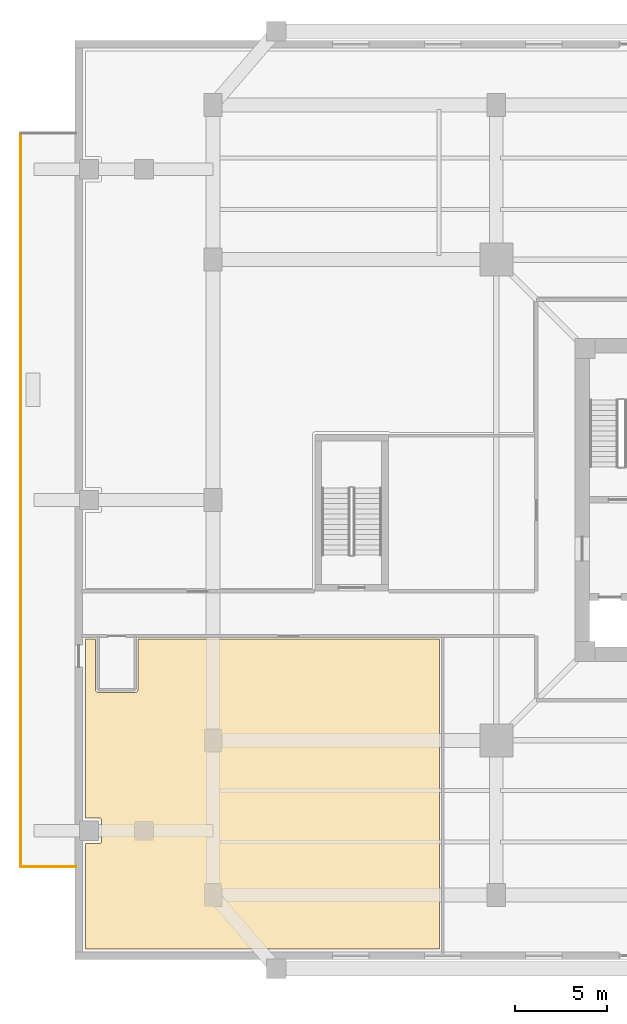
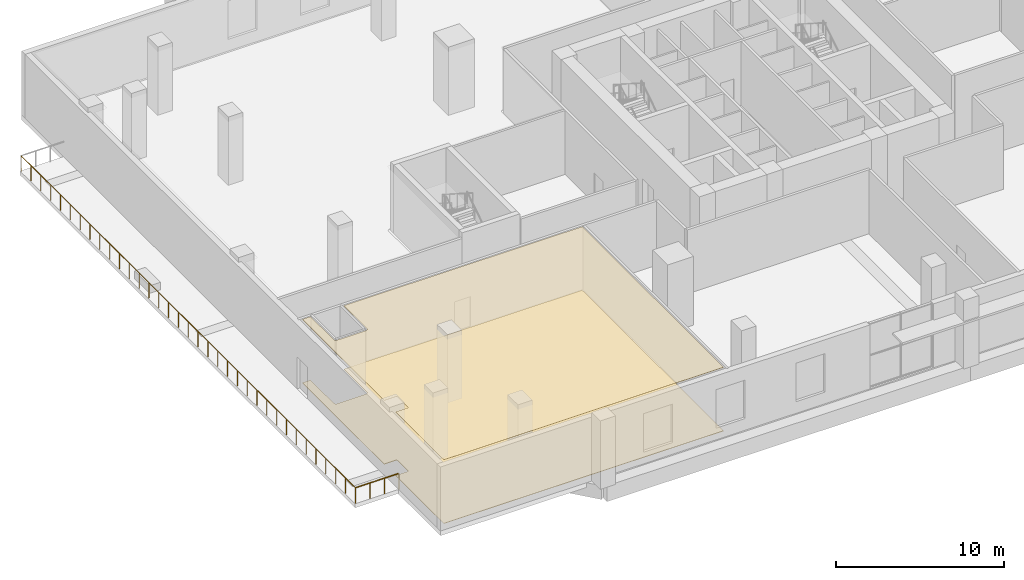
# One storey, part 10 of 15: 2 coverings, 2 railings.
"""IFC4 building model written with IfcOpenShell, lengths in metres."""

from ifc_helpers import new_model, si_unit, direction, frame, origin, origin_2d, place, context, subcontext, project, spatial, polyline, circle, outline, extrude, source, transform, mapped, material, layer, layer_set, type_object, element, save


model = new_model("IFC4")

# Units and contexts
model_context = context("Model", 3, precision=1e-05, world=origin(), true_north=direction((0.0, 1.0)))
body_context = subcontext(model_context, "Body", "Model", "MODEL_VIEW")
ifc_project = project(units=[si_unit("LENGTHUNIT", "METRE"), si_unit("AREAUNIT", "SQUARE_METRE"), si_unit("VOLUMEUNIT", "CUBIC_METRE"), si_unit("PLANEANGLEUNIT", "RADIAN"), si_unit("MASSUNIT", "GRAM", prefix="KILO"), si_unit("THERMODYNAMICTEMPERATUREUNIT", "KELVIN")], contexts=[model_context])

# Site, building, storey
site_placement = place(None, origin())
site = spatial("IfcSite", under=ifc_project, at=site_placement, CompositionType="ELEMENT")
building_placement = place(site_placement, origin())
building = spatial("IfcBuilding", under=site, at=building_placement, Name="Kosmvard Interchange Tower", CompositionType="ELEMENT")
storey_placement = place(building_placement, frame((0.0, 0.0, 11.0)))
storey = spatial("IfcBuildingStorey", under=building, at=storey_placement, Name="L02", CompositionType="ELEMENT", Elevation=11.0)

# Coverings
ifc_material_1 = material(Name="Acoustic gypsum ceiling tile")
ifc_layer_1 = layer(ifc_material_1, 0.02490234375, Name="Acoustic gypsum ceiling tile")
ifc_layer_set_1 = layer_set([ifc_layer_1], Name="Acoustic gypsum ceiling tile")
covering_type_1 = type_object("IfcCoveringType", Name="Acoustic Perforated Suspended Ceiling 25", PredefinedType="CEILING", material=ifc_layer_set_1)
covering_1_placement = place(storey_placement, frame((0.0, 0.0, 4.635009765625)))
element("IfcCovering", 1, at=covering_1_placement, inside=storey, type_object=covering_type_1, Name="L02 Acoustic Ceiling L02-SHPW", PredefinedType="CEILING", context=body_context, shape_type="SweptSolid", body=[
    extrude(outline(polyline([(-34.56494140625, -17.39501953125), (-34.56494140625, -18.60498046875), (-34.5654296875, -18.61279296875), (-34.566650390625, -18.62060546875), (-34.568359375, -18.628173828125), (-34.571044921875, -18.635498046875), (-34.574462890625, -18.642822265625), (-34.578369140625, -18.6494140625), (-34.583251953125, -18.65576171875), (-34.58837890625, -18.66162109375), (-34.59423828125, -18.666748046875), (-34.6005859375, -18.671630859375), (-34.607177734375, -18.675537109375), (-34.614501953125, -18.678955078125), (-34.621826171875, -18.681640625), (-34.62939453125, -18.683349609375), (-34.63720703125, -18.6845703125), (-34.64501953125, -18.68505859375), (-35.445068359375, -18.68505859375), (-35.445068359375, -24.445068359375), (-16.159912109375, -24.445068359375), (-16.159912109375, -7.554931640625), (-32.5869140625, -7.554931640625), (-32.5869140625, -10.320068359375), (-32.587158203125, -10.323974609375), (-32.58740234375, -10.33056640625), (-32.588134765625, -10.33837890625), (-32.589111328125, -10.344970703125), (-32.5908203125, -10.352783203125), (-32.59228515625, -10.359130859375), (-32.5947265625, -10.36669921875), (-32.596923828125, -10.373046875), (-32.599853515625, -10.380126953125), (-32.602783203125, -10.38623046875), (-32.6064453125, -10.39306640625), (-32.60986328125, -10.39892578125), (-32.6142578125, -10.405517578125), (-32.6181640625, -10.410888671875), (-32.623291015625, -10.4169921875), (-32.627685546875, -10.421875), (-32.63330078125, -10.42724609375), (-32.63818359375, -10.431884765625), (-32.644287109375, -10.436767578125), (-32.6494140625, -10.440673828125), (-32.65625, -10.445068359375), (-32.661865234375, -10.44873046875), (-32.668701171875, -10.452392578125), (-32.6748046875, -10.455078125), (-32.681884765625, -10.458251953125), (-32.688232421875, -10.46044921875), (-32.69580078125, -10.462646484375), (-32.702392578125, -10.46435546875), (-32.7099609375, -10.4658203125), (-32.716552734375, -10.466796875), (-32.724365234375, -10.467529296875), (-32.73095703125, -10.468017578125), (-32.735107421875, -10.468017578125), (-34.735107421875, -10.468017578125), (-34.739013671875, -10.468017578125), (-34.74560546875, -10.467529296875), (-34.75341796875, -10.466796875), (-34.760009765625, -10.4658203125), (-34.767578125, -10.46435546875), (-34.774169921875, -10.462646484375), (-34.78173828125, -10.46044921875), (-34.7880859375, -10.458251953125), (-34.795166015625, -10.455078125), (-34.80126953125, -10.452392578125), (-34.80810546875, -10.44873046875), (-34.81396484375, -10.445068359375), (-34.820556640625, -10.440673828125), (-34.825927734375, -10.436767578125), (-34.831787109375, -10.431884765625), (-34.8369140625, -10.42724609375), (-34.84228515625, -10.421875), (-34.846923828125, -10.4169921875), (-34.851806640625, -10.410888671875), (-34.855712890625, -10.405517578125), (-34.860107421875, -10.39892578125), (-34.863525390625, -10.39306640625), (-34.8671875, -10.38623046875), (-34.8701171875, -10.380126953125), (-34.873046875, -10.373046875), (-34.87548828125, -10.36669921875), (-34.877685546875, -10.359130859375), (-34.87939453125, -10.352783203125), (-34.880859375, -10.344970703125), (-34.8818359375, -10.33837890625), (-34.882568359375, -10.33056640625), (-34.8828125, -10.323974609375), (-34.883056640625, -10.320068359375), (-34.883056640625, -7.554931640625), (-35.445068359375, -7.554931640625), (-35.445068359375, -17.31494140625), (-34.64501953125, -17.31494140625), (-34.63720703125, -17.3154296875), (-34.62939453125, -17.316650390625), (-34.621826171875, -17.318359375), (-34.614501953125, -17.321044921875), (-34.607177734375, -17.324462890625), (-34.6005859375, -17.328369140625), (-34.59423828125, -17.333251953125), (-34.58837890625, -17.33837890625), (-34.583251953125, -17.34423828125), (-34.578369140625, -17.3505859375), (-34.574462890625, -17.357177734375), (-34.571044921875, -17.364501953125), (-34.568359375, -17.371826171875), (-34.566650390625, -17.37939453125), (-34.5654296875, -17.38720703125), (-34.56494140625, -17.39501953125)])), origin(), (0.0, 0.0, 1.0), 0.02490234375),
])
ifc_material_2 = material(Name="Polished terrazzo flooring")
ifc_layer_2 = layer(ifc_material_2, 0.030029296875, Name="Polished terrazzo flooring")
ifc_layer_set_2 = layer_set([ifc_layer_2], Name="Polished terrazzo flooring")
covering_type_2 = type_object("IfcCoveringType", Name="Heavy-Duty Terrazzo & Porcelain Flooring 30", PredefinedType="FLOORING", material=ifc_layer_set_2)
covering_2_placement = place(storey_placement, origin())
element("IfcCovering", 2, at=covering_2_placement, inside=storey, type_object=covering_type_2, Name="L02 Floor Finish L02-SHPW", PredefinedType="FLOORING", context=body_context, shape_type="SweptSolid", body=[
    extrude(outline(polyline([(-34.56494140625, -17.39501953125), (-34.56494140625, -18.60498046875), (-34.5654296875, -18.61279296875), (-34.566650390625, -18.62060546875), (-34.568359375, -18.628173828125), (-34.571044921875, -18.635498046875), (-34.574462890625, -18.642822265625), (-34.578369140625, -18.6494140625), (-34.583251953125, -18.65576171875), (-34.58837890625, -18.66162109375), (-34.59423828125, -18.666748046875), (-34.6005859375, -18.671630859375), (-34.607177734375, -18.675537109375), (-34.614501953125, -18.678955078125), (-34.621826171875, -18.681640625), (-34.62939453125, -18.683349609375), (-34.63720703125, -18.6845703125), (-34.64501953125, -18.68505859375), (-35.445068359375, -18.68505859375), (-35.445068359375, -24.445068359375), (-16.159912109375, -24.445068359375), (-16.159912109375, -7.554931640625), (-32.5869140625, -7.554931640625), (-32.5869140625, -10.320068359375), (-32.587158203125, -10.323974609375), (-32.58740234375, -10.33056640625), (-32.588134765625, -10.33837890625), (-32.589111328125, -10.344970703125), (-32.5908203125, -10.352783203125), (-32.59228515625, -10.359130859375), (-32.5947265625, -10.36669921875), (-32.596923828125, -10.373046875), (-32.599853515625, -10.380126953125), (-32.602783203125, -10.38623046875), (-32.6064453125, -10.39306640625), (-32.60986328125, -10.39892578125), (-32.6142578125, -10.405517578125), (-32.6181640625, -10.410888671875), (-32.623291015625, -10.4169921875), (-32.627685546875, -10.421875), (-32.63330078125, -10.42724609375), (-32.63818359375, -10.431884765625), (-32.644287109375, -10.436767578125), (-32.6494140625, -10.440673828125), (-32.65625, -10.445068359375), (-32.661865234375, -10.44873046875), (-32.668701171875, -10.452392578125), (-32.6748046875, -10.455078125), (-32.681884765625, -10.458251953125), (-32.688232421875, -10.46044921875), (-32.69580078125, -10.462646484375), (-32.702392578125, -10.46435546875), (-32.7099609375, -10.4658203125), (-32.716552734375, -10.466796875), (-32.724365234375, -10.467529296875), (-32.73095703125, -10.468017578125), (-32.735107421875, -10.468017578125), (-34.735107421875, -10.468017578125), (-34.739013671875, -10.468017578125), (-34.74560546875, -10.467529296875), (-34.75341796875, -10.466796875), (-34.760009765625, -10.4658203125), (-34.767578125, -10.46435546875), (-34.774169921875, -10.462646484375), (-34.78173828125, -10.46044921875), (-34.7880859375, -10.458251953125), (-34.795166015625, -10.455078125), (-34.80126953125, -10.452392578125), (-34.80810546875, -10.44873046875), (-34.81396484375, -10.445068359375), (-34.820556640625, -10.440673828125), (-34.825927734375, -10.436767578125), (-34.831787109375, -10.431884765625), (-34.8369140625, -10.42724609375), (-34.84228515625, -10.421875), (-34.846923828125, -10.4169921875), (-34.851806640625, -10.410888671875), (-34.855712890625, -10.405517578125), (-34.860107421875, -10.39892578125), (-34.863525390625, -10.39306640625), (-34.8671875, -10.38623046875), (-34.8701171875, -10.380126953125), (-34.873046875, -10.373046875), (-34.87548828125, -10.36669921875), (-34.877685546875, -10.359130859375), (-34.87939453125, -10.352783203125), (-34.880859375, -10.344970703125), (-34.8818359375, -10.33837890625), (-34.882568359375, -10.33056640625), (-34.8828125, -10.323974609375), (-34.883056640625, -10.320068359375), (-34.883056640625, -7.554931640625), (-35.445068359375, -7.554931640625), (-35.445068359375, -17.31494140625), (-34.64501953125, -17.31494140625), (-34.63720703125, -17.3154296875), (-34.62939453125, -17.316650390625), (-34.621826171875, -17.318359375), (-34.614501953125, -17.321044921875), (-34.607177734375, -17.324462890625), (-34.6005859375, -17.328369140625), (-34.59423828125, -17.333251953125), (-34.58837890625, -17.33837890625), (-34.583251953125, -17.34423828125), (-34.578369140625, -17.3505859375), (-34.574462890625, -17.357177734375), (-34.571044921875, -17.364501953125), (-34.568359375, -17.371826171875), (-34.566650390625, -17.37939453125), (-34.5654296875, -17.38720703125), (-34.56494140625, -17.39501953125)])), origin(), (0.0, 0.0, 1.0), 0.030029296875),
])

# Railings
ifc_material_3 = material(Name="Steel S355", Category="steel")
railing_type = type_object("IfcRailingType", Name="Observation & Balcony Glass-Infill Balustrade 1150", PredefinedType="BALUSTRADE", material=ifc_material_3)
shared_shape_1 = source(origin(), body_context, "Body", "SweptSolid", [
    extrude(circle(Radius=0.02392578125, at=origin_2d()), frame((0.0, 0.0, 1.1259765625), z_axis=(-1.0, 0.0, 0.0), x_axis=(0.0, -1.0, 0.0)), (0.0, 0.0, 1.0), 3.0),
    extrude(circle(Radius=0.02099609375, at=origin_2d()), origin(), (0.0, 0.0, 1.0), 1.101806640625),
    extrude(circle(Radius=0.02099609375, at=origin_2d()), frame((-1.0, 0.0, 0.0)), (0.0, 0.0, 1.0), 1.101806640625),
    extrude(circle(Radius=0.02099609375, at=origin_2d()), frame((-2.0, 0.0, 0.0)), (0.0, 0.0, 1.0), 1.101806640625),
    extrude(circle(Radius=0.02099609375, at=origin_2d()), frame((-3.0, 0.0, 0.0)), (0.0, 0.0, 1.0), 1.101806640625),
])
railing_1_placement = place(storey_placement, frame((-35.949951171875, -19.949951171875, 0.0)))
element("IfcRailing", 3, at=railing_1_placement, inside=storey, type_object=railing_type, Name="L02 Outdoor Terrace Guard TER-L02-W-A", PredefinedType="BALUSTRADE", context=body_context, shape_type="MappedRepresentation", body=[
    mapped(shared_shape_1, transform((0.0, 0.0, 0.0), scale=1.0)),
])
shared_shape_2 = source(origin(), body_context, "Body", "SweptSolid", [
    extrude(circle(Radius=0.02392578125, at=origin_2d()), frame((0.0, 0.0, 1.1259765625), z_axis=(0.0, 1.0, 0.0), x_axis=(-1.0, 0.0, 0.0)), (0.0, 0.0, 1.0), 39.89990234375),
    extrude(circle(Radius=0.02099609375, at=origin_2d()), origin(), (0.0, 0.0, 1.0), 1.101806640625),
    extrude(circle(Radius=0.02099609375, at=origin_2d()), frame((0.0, 1.173583984375, 0.0)), (0.0, 0.0, 1.0), 1.101806640625),
    extrude(circle(Radius=0.02099609375, at=origin_2d()), frame((0.0, 2.34716796875, 0.0)), (0.0, 0.0, 1.0), 1.101806640625),
    extrude(circle(Radius=0.02099609375, at=origin_2d()), frame((0.0, 3.5205078125, 0.0)), (0.0, 0.0, 1.0), 1.101806640625),
    extrude(circle(Radius=0.02099609375, at=origin_2d()), frame((0.0, 4.694091796875, 0.0)), (0.0, 0.0, 1.0), 1.101806640625),
    extrude(circle(Radius=0.02099609375, at=origin_2d()), frame((0.0, 5.86767578125, 0.0)), (0.0, 0.0, 1.0), 1.101806640625),
    extrude(circle(Radius=0.02099609375, at=origin_2d()), frame((0.0, 7.041259765625, 0.0)), (0.0, 0.0, 1.0), 1.101806640625),
    extrude(circle(Radius=0.02099609375, at=origin_2d()), frame((0.0, 8.214599609375, 0.0)), (0.0, 0.0, 1.0), 1.101806640625),
    extrude(circle(Radius=0.02099609375, at=origin_2d()), frame((0.0, 9.38818359375, 0.0)), (0.0, 0.0, 1.0), 1.101806640625),
    extrude(circle(Radius=0.02099609375, at=origin_2d()), frame((0.0, 10.561767578125, 0.0)), (0.0, 0.0, 1.0), 1.101806640625),
    extrude(circle(Radius=0.02099609375, at=origin_2d()), frame((0.0, 11.7353515625, 0.0)), (0.0, 0.0, 1.0), 1.101806640625),
    extrude(circle(Radius=0.02099609375, at=origin_2d()), frame((0.0, 12.90869140625, 0.0)), (0.0, 0.0, 1.0), 1.101806640625),
    extrude(circle(Radius=0.02099609375, at=origin_2d()), frame((0.0, 14.082275390625, 0.0)), (0.0, 0.0, 1.0), 1.101806640625),
    extrude(circle(Radius=0.02099609375, at=origin_2d()), frame((0.0, 15.255859375, 0.0)), (0.0, 0.0, 1.0), 1.101806640625),
    extrude(circle(Radius=0.02099609375, at=origin_2d()), frame((0.0, 16.429443359375, 0.0)), (0.0, 0.0, 1.0), 1.101806640625),
    extrude(circle(Radius=0.02099609375, at=origin_2d()), frame((0.0, 17.602783203125, 0.0)), (0.0, 0.0, 1.0), 1.101806640625),
    extrude(circle(Radius=0.02099609375, at=origin_2d()), frame((0.0, 18.7763671875, 0.0)), (0.0, 0.0, 1.0), 1.101806640625),
    extrude(circle(Radius=0.02099609375, at=origin_2d()), frame((0.0, 19.949951171875, 0.0)), (0.0, 0.0, 1.0), 1.101806640625),
    extrude(circle(Radius=0.02099609375, at=origin_2d()), frame((0.0, 21.12353515625, 0.0)), (0.0, 0.0, 1.0), 1.101806640625),
    extrude(circle(Radius=0.02099609375, at=origin_2d()), frame((0.0, 22.297119140625, 0.0)), (0.0, 0.0, 1.0), 1.101806640625),
    extrude(circle(Radius=0.02099609375, at=origin_2d()), frame((0.0, 23.470458984375, 0.0)), (0.0, 0.0, 1.0), 1.101806640625),
    extrude(circle(Radius=0.02099609375, at=origin_2d()), frame((0.0, 24.64404296875, 0.0)), (0.0, 0.0, 1.0), 1.101806640625),
    extrude(circle(Radius=0.02099609375, at=origin_2d()), frame((0.0, 25.817626953125, 0.0)), (0.0, 0.0, 1.0), 1.101806640625),
    extrude(circle(Radius=0.02099609375, at=origin_2d()), frame((0.0, 26.9912109375, 0.0)), (0.0, 0.0, 1.0), 1.101806640625),
    extrude(circle(Radius=0.02099609375, at=origin_2d()), frame((0.0, 28.16455078125, 0.0)), (0.0, 0.0, 1.0), 1.101806640625),
    extrude(circle(Radius=0.02099609375, at=origin_2d()), frame((0.0, 29.338134765625, 0.0)), (0.0, 0.0, 1.0), 1.101806640625),
    extrude(circle(Radius=0.02099609375, at=origin_2d()), frame((0.0, 30.51171875, 0.0)), (0.0, 0.0, 1.0), 1.101806640625),
    extrude(circle(Radius=0.02099609375, at=origin_2d()), frame((0.0, 31.685302734375, 0.0)), (0.0, 0.0, 1.0), 1.101806640625),
    extrude(circle(Radius=0.02099609375, at=origin_2d()), frame((0.0, 32.858642578125, 0.0)), (0.0, 0.0, 1.0), 1.101806640625),
    extrude(circle(Radius=0.02099609375, at=origin_2d()), frame((0.0, 34.0322265625, 0.0)), (0.0, 0.0, 1.0), 1.101806640625),
    extrude(circle(Radius=0.02099609375, at=origin_2d()), frame((0.0, 35.205810546875, 0.0)), (0.0, 0.0, 1.0), 1.101806640625),
    extrude(circle(Radius=0.02099609375, at=origin_2d()), frame((0.0, 36.37939453125, 0.0)), (0.0, 0.0, 1.0), 1.101806640625),
    extrude(circle(Radius=0.02099609375, at=origin_2d()), frame((0.0, 37.552734375, 0.0)), (0.0, 0.0, 1.0), 1.101806640625),
    extrude(circle(Radius=0.02099609375, at=origin_2d()), frame((0.0, 38.726318359375, 0.0)), (0.0, 0.0, 1.0), 1.101806640625),
    extrude(circle(Radius=0.02099609375, at=origin_2d()), frame((0.0, 39.89990234375, 0.0)), (0.0, 0.0, 1.0), 1.101806640625),
])
railing_2_placement = place(storey_placement, frame((-38.949951171875, -19.949951171875, 0.0)))
element("IfcRailing", 4, at=railing_2_placement, inside=storey, type_object=railing_type, Name="L02 Outdoor Terrace Guard TER-L02-W-B", PredefinedType="BALUSTRADE", context=body_context, shape_type="MappedRepresentation", body=[
    mapped(shared_shape_2, transform((0.0, 0.0, 0.0), scale=1.0)),
])

save(model, "model.ifc")
